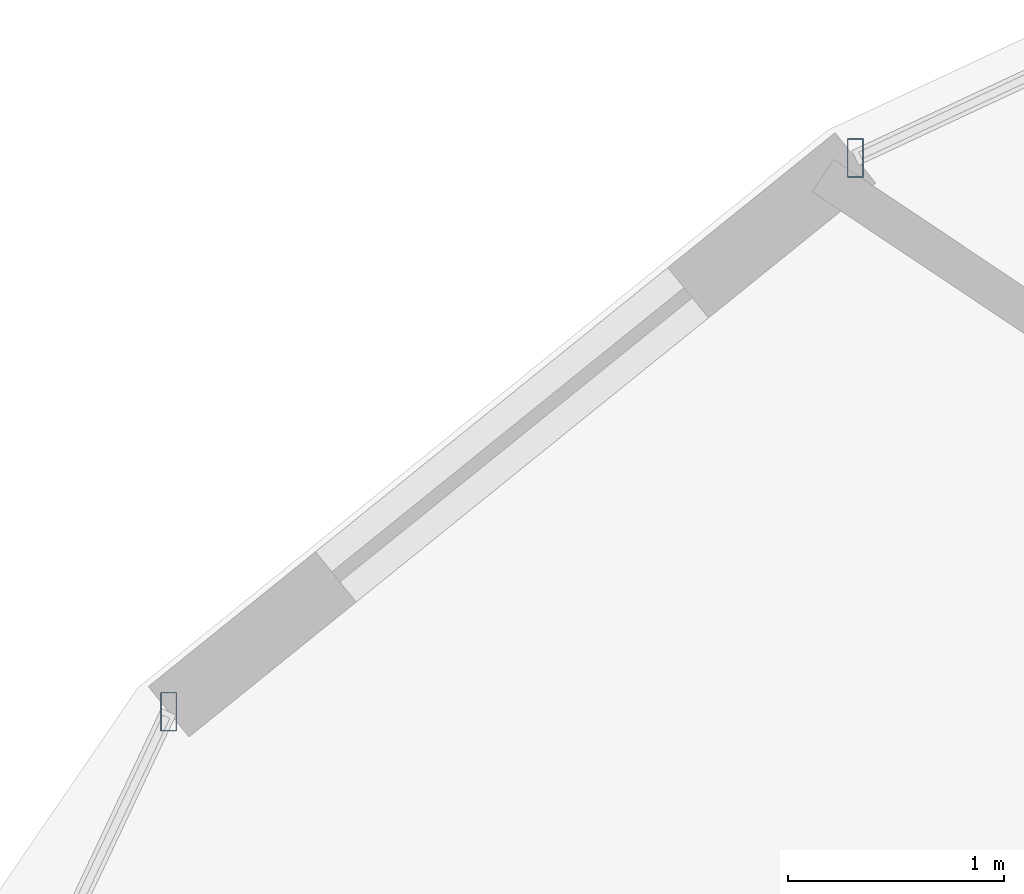
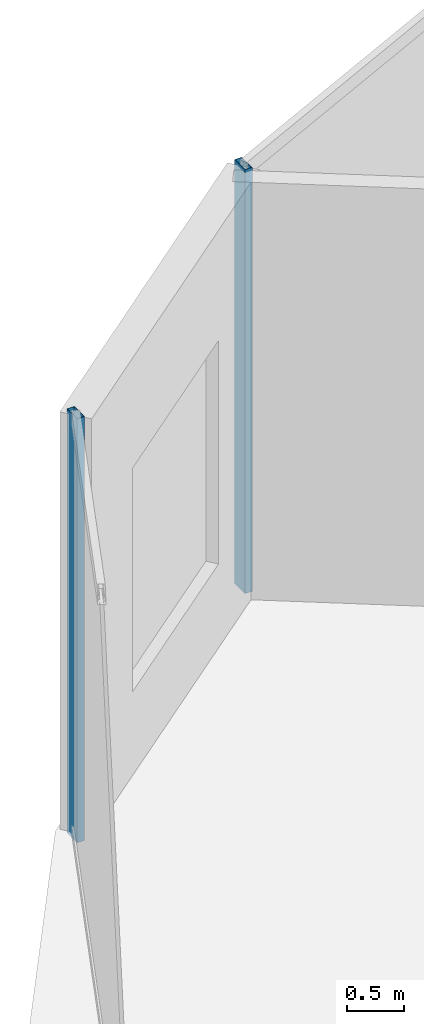
# One storey, part 16 of 36: 2 members, 2 elements without a shape of their own.
"""IFC4 building model written with IfcOpenShell, lengths in metres."""

from ifc_helpers import new_model, si_unit, direction, frame, origin, origin_2d, place, context, subcontext, project, spatial, hollow_rectangle, extrude, material, material_profile, profile_set, type_object, element, aggregate, save


model = new_model("IFC4")

# Units and contexts
model_context = context("Model", 3, precision=1e-05, world=origin(), true_north=direction((0.0, 1.0)))
body_context = subcontext(model_context, "Body", "Model", "MODEL_VIEW")
ifc_project = project(units=[si_unit("LENGTHUNIT", "METRE"), si_unit("AREAUNIT", "SQUARE_METRE"), si_unit("VOLUMEUNIT", "CUBIC_METRE"), si_unit("PLANEANGLEUNIT", "RADIAN"), si_unit("MASSUNIT", "GRAM", prefix="KILO")], contexts=[model_context])

# Site, building, storey
site_placement = place(None, origin())
site = spatial("IfcSite", under=ifc_project, at=site_placement, CompositionType="ELEMENT")
building_placement = place(site_placement, origin())
building = spatial("IfcBuilding", under=site, at=building_placement, Name="Vorneva Point Tower", CompositionType="ELEMENT")
storey_placement = place(building_placement, origin())
storey = spatial("IfcBuildingStorey", under=building, at=storey_placement, Name="L00", CompositionType="ELEMENT", Elevation=0.0)

# Curtain wall, member
ifc_material = material(Name="Pale anodised aluminium", Category="aluminium")
curtain_wall_type = type_object("IfcCurtainWallType", Name="CW-POD-SYS", PredefinedType="NOTDEFINED", material=ifc_material)
curtain_wall_1_placement = place(storey_placement, origin())
curtain_wall_1 = element("IfcCurtainWall", 1, at=curtain_wall_1_placement, inside=storey, type_object=curtain_wall_type, Name="L00 Unitised Curtain Wall CW-L00-R03", PredefinedType="NOTDEFINED")
ifc_material_profile = material_profile(ifc_material, hollow_rectangle(XDim=0.074951171875, YDim=0.179931640625, WallThickness=0.00390625, at=origin_2d()), Name="AL-MUL 180x75x4")
ifc_profile_set = profile_set([ifc_material_profile], Name="Pale anodised aluminium")
member_type = type_object("IfcMemberType", Name="CW-MUL-180", PredefinedType="MULLION", material=ifc_profile_set)
member_1_placement = place(storey_placement, frame((9.7841796875, 45.035888671875, -0.0400390625), z_axis=(0.0, 0.0, 1.0), x_axis=(1.0, 0.0, 0.0)))
member_1 = element("IfcMember", 2, at=member_1_placement, type_object=member_type, Name="CW-L00-R03 Mullion 03", PredefinedType="MULLION", context=body_context, shape_type="SweptSolid", body=[
    extrude(hollow_rectangle(XDim=0.074951171875, YDim=0.179931640625, WallThickness=0.00390625, at=origin_2d()), origin(), (0.0, 0.0, 1.0), 4.550048828125),
])
aggregate(curtain_wall_1, [member_1])

curtain_wall_2_placement = place(storey_placement, origin())
curtain_wall_2 = element("IfcCurtainWall", 3, at=curtain_wall_2_placement, inside=storey, type_object=curtain_wall_type, Name="L00 Unitised Curtain Wall CW-L00-R04", PredefinedType="NOTDEFINED")
member_2_placement = place(storey_placement, frame((6.59814453125, 42.46630859375, -0.0400390625), z_axis=(0.0, 0.0, 1.0), x_axis=(1.0, 0.0, 0.0)))
member_2 = element("IfcMember", 4, at=member_2_placement, type_object=member_type, Name="CW-L00-R04 Mullion 01", PredefinedType="MULLION", context=body_context, shape_type="SweptSolid", body=[
    extrude(hollow_rectangle(XDim=0.074951171875, YDim=0.179931640625, WallThickness=0.00390625, at=origin_2d()), origin(), (0.0, 0.0, 1.0), 4.550048828125),
])
aggregate(curtain_wall_2, [member_2])

save(model, "model.ifc")
